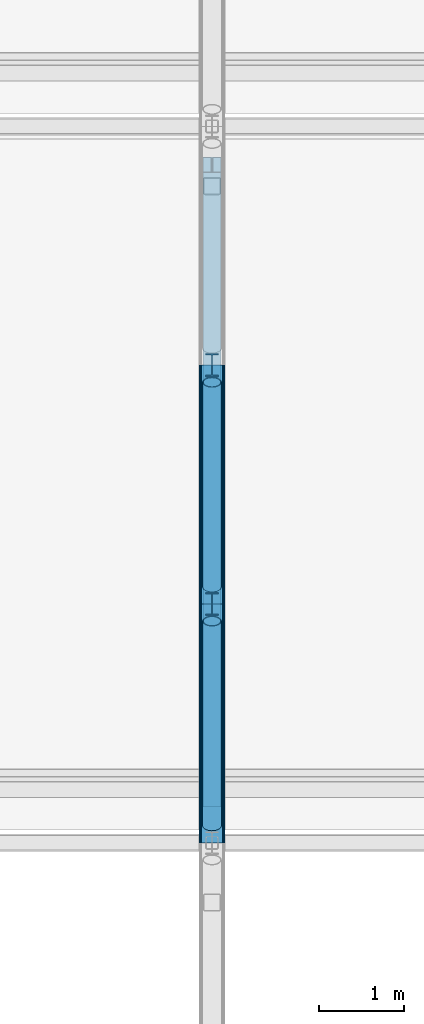
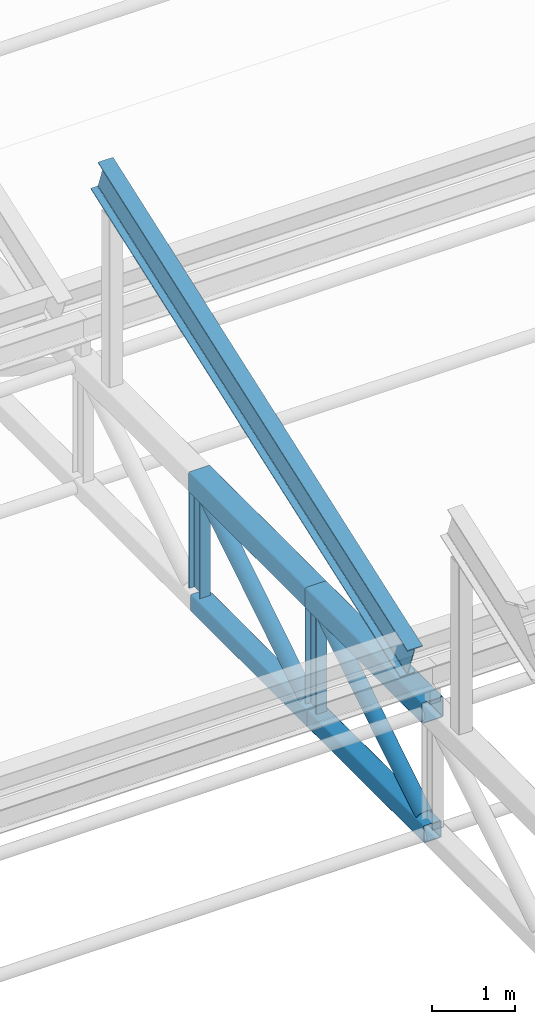
# One storey, part 16 of 101: 9 members.
"""IFC4 building model written with IfcOpenShell, lengths in metres."""

import ifcopenshell
import ifcopenshell.guid

model = None  # the IFC model being written
_history = None  # IfcOwnerHistory: only IFC2X3 demands one
_inside = {}  # id of a spatial element -> (the spatial element, [elements in it])
_under = {}  # id of a project, library or spatial element -> (it, [spatial elements below it])
_declared = {}  # id of a project -> (the project, [libraries it declares])
_typed = {}  # id of a type object -> (the type object, [elements of that type])
_made_of = {}  # id of a material, layer set ... -> (it, [elements and type objects made of it])


def new_model(schema):
    """Start an empty IFC model of exactly this schema.

    Asked for "IFC4X3", IfcOpenShell would pick the latest addendum, in which some entities
    have other attributes; the version numbers below select the first issue.
    IFC2X3 requires an IfcOwnerHistory on every rooted entity: one is made here for all.
    """
    global model, _history
    if schema == "IFC4X3":
        model = ifcopenshell.file(schema_version=(4, 3, 0, 0))
    else:
        model = ifcopenshell.file(schema=schema)
    _inside.clear()
    _under.clear()
    _declared.clear()
    _typed.clear()
    _made_of.clear()
    _history = None
    if model.schema == "IFC2X3":
        org = make("IfcOrganization", Name="unknown")
        user = make(
            "IfcPersonAndOrganization",
            ThePerson=make("IfcPerson", FamilyName="unknown"),
            TheOrganization=org,
        )
        app = make(
            "IfcApplication",
            ApplicationDeveloper=org,
            Version="unknown",
            ApplicationFullName="unknown",
            ApplicationIdentifier="unknown",
        )
        _history = make(
            "IfcOwnerHistory",
            OwningUser=user,
            OwningApplication=app,
            ChangeAction="ADDED",
            CreationDate=0,
        )
    return model


def make(cls, **values):
    """One entity of the class cls with the attributes given. An attribute that is None is left unset."""
    return model.create_entity(
        cls, **{name: value for name, value in values.items() if value is not None}
    )


def rooted(cls, **values):
    """An entity with a GlobalId (a new one), such as an element, a storey or a relation."""
    return make(cls, GlobalId=ifcopenshell.guid.new(), OwnerHistory=_history, **values)


def si_unit(unit_type, name, prefix=None):
    """IfcSIUnit, for example si_unit("LENGTHUNIT", "METRE", prefix="MILLI")."""
    return make("IfcSIUnit", UnitType=unit_type, Prefix=prefix, Name=name)


def assignment(units):
    """IfcUnitAssignment: the units of a project."""
    return None if units is None else make("IfcUnitAssignment", Units=units)


def point(xyz):
    """IfcCartesianPoint."""
    return None if xyz is None else make("IfcCartesianPoint", Coordinates=xyz)


def direction(xyz):
    """IfcDirection."""
    return None if xyz is None else make("IfcDirection", DirectionRatios=xyz)


def frame(location, z_axis=None, x_axis=None):
    """IfcAxis2Placement3D, a coordinate frame: its origin and axes. An axis left out is left unset."""
    return make(
        "IfcAxis2Placement3D",
        Location=point(location),
        Axis=direction(z_axis),
        RefDirection=direction(x_axis),
    )


def frame_2d(location, x_axis=None):
    """IfcAxis2Placement2D, a coordinate frame in the plane: its origin and x axis."""
    return make(
        "IfcAxis2Placement2D", Location=point(location), RefDirection=direction(x_axis)
    )


def origin():
    """The frame at (0, 0, 0) with its axes left unset."""
    return frame((0.0, 0.0, 0.0))


def origin_2d():
    """The frame at (0, 0) in the plane with its x axis left unset."""
    return frame_2d((0.0, 0.0))


def place(relative_to, where):
    """IfcLocalPlacement: puts the frame where relative to a parent placement (None: the world)."""
    return make(
        "IfcLocalPlacement", PlacementRelTo=relative_to, RelativePlacement=where
    )


def context(
    kind, dimensions, precision=None, world=None, true_north=None, identifier=None
):
    """IfcGeometricRepresentationContext, for example the 3D "Model" context."""
    return make(
        "IfcGeometricRepresentationContext",
        ContextIdentifier=identifier,
        ContextType=kind,
        CoordinateSpaceDimension=dimensions,
        Precision=precision,
        WorldCoordinateSystem=world,
        TrueNorth=true_north,
    )


def subcontext(parent, identifier, kind, view, scale=None):
    """IfcGeometricRepresentationSubContext, for example "Body" below "Model"."""
    return make(
        "IfcGeometricRepresentationSubContext",
        ContextIdentifier=identifier,
        ContextType=kind,
        ParentContext=parent,
        TargetScale=scale,
        TargetView=view,
    )


def project(units=None, contexts=None):
    """IfcProject with its units and contexts."""
    return rooted(
        "IfcProject",
        Name="project",
        RepresentationContexts=contexts,
        UnitsInContext=assignment(units),
    )


def spatial(cls, under=None, at=None, **own):
    """A site, building, storey or space (cls), placed at a placement, below another one or the project."""
    s = rooted(cls, ObjectPlacement=at, **own)
    if under is not None:
        _under.setdefault(under.id(), (under, []))[1].append(s)
    return s


def profile(cls, at=None, kind="AREA", **sizes):
    """A parametric profile (cls). Its sizes go by their IFC names, for example OverallWidth=200.0."""
    return make(cls, ProfileType=kind, Position=at, **sizes)


def hollow_rectangle(**sizes):
    """IfcRectangleHollowProfileDef."""
    return profile("IfcRectangleHollowProfileDef", **sizes)


def hollow_circle(**sizes):
    """IfcCircleHollowProfileDef."""
    return profile("IfcCircleHollowProfileDef", **sizes)


def i_section(**sizes):
    """IfcIShapeProfileDef."""
    return profile("IfcIShapeProfileDef", **sizes)


def extrude(swept, where, along, depth):
    """IfcExtrudedAreaSolid: the profile swept, set in the frame where, extruded along a direction by depth."""
    return make(
        "IfcExtrudedAreaSolid",
        SweptArea=swept,
        Position=where,
        ExtrudedDirection=direction(along),
        Depth=depth,
    )


def shape(context_of_items, identifier, shape_type, items):
    """IfcShapeRepresentation: the items that make up one representation, for example the "Body"."""
    return make(
        "IfcShapeRepresentation",
        ContextOfItems=context_of_items,
        RepresentationIdentifier=identifier,
        RepresentationType=shape_type,
        Items=items,
    )


def material(Name=None, Category=None):
    """IfcMaterial."""
    return make("IfcMaterial", Name=Name, Category=Category)


def material_profile(
    of_material, cross_section, Name=None, Category=None, Priority=None
):
    """IfcMaterialProfile: a cross section and its material."""
    return make(
        "IfcMaterialProfile",
        Name=Name,
        Material=of_material,
        Profile=cross_section,
        Priority=Priority,
        Category=Category,
    )


def profile_set(profiles, Name=None, composite=None):
    """IfcMaterialProfileSet."""
    return make(
        "IfcMaterialProfileSet",
        Name=Name,
        MaterialProfiles=profiles,
        CompositeProfile=composite,
    )


def made_of(thing, what):
    """Note that an element or type object is made of a material, layer set ...; save() writes the relation."""
    if what is not None:
        _made_of.setdefault(what.id(), (what, []))[1].append(thing)
    return thing


def type_object(cls, material=None, **own):
    """A type object (cls), such as IfcWallType, which elements share."""
    return made_of(rooted(cls, **own), material)


def element(
    cls,
    number,
    at=None,
    inside=None,
    cuts=None,
    type_object=None,
    material=None,
    context=None,
    identifier="Body",
    shape_type=None,
    held_by="IfcProductDefinitionShape",
    body=None,
    shapes=None,
    **own,
):
    """One element of the class cls, such as IfcWall. Its Tag is "e" and its number.

    at: its placement. inside: the storey or other place that contains it. cuts: it is an
    opening in that element (IfcRelVoidsElement). A single representation is given by context,
    identifier, shape_type and body (its items); several are given by shapes. held_by: the class
    of the entity that holds the representations. save() writes the other relations.
    """
    e = rooted(cls, Tag="e%d" % number, ObjectPlacement=at, **own)
    if body is not None:
        shapes = [shape(context, identifier, shape_type, body)]
    if shapes is not None:
        e.Representation = make(held_by, Representations=shapes)
    if inside is not None:
        _inside.setdefault(inside.id(), (inside, []))[1].append(e)
    if cuts is not None:
        rooted(
            "IfcRelVoidsElement", RelatingBuildingElement=cuts, RelatedOpeningElement=e
        )
    if type_object is not None:
        _typed.setdefault(type_object.id(), (type_object, []))[1].append(e)
    return made_of(e, material)


def aggregate(whole, parts):
    """IfcRelAggregates: a whole, such as a stair, and the parts it consists of."""
    return rooted("IfcRelAggregates", RelatingObject=whole, RelatedObjects=parts)


def save(model, path):
    """Write the relations noted so far, then the file.

    IfcRelAggregates (storeys below a building ...), IfcRelContainedInSpatialStructure (elements
    in a storey), IfcRelDefinesByType, IfcRelAssociatesMaterial and IfcRelDeclares: one each for
    every whole, place, type object, material and project.
    """
    for whole, parts in _under.values():
        aggregate(whole, parts)
    for where, things in _inside.values():
        rooted(
            "IfcRelContainedInSpatialStructure",
            RelatedElements=things,
            RelatingStructure=where,
        )
    for kind, things in _typed.values():
        rooted("IfcRelDefinesByType", RelatedObjects=things, RelatingType=kind)
    for what, things in _made_of.values():
        rooted("IfcRelAssociatesMaterial", RelatedObjects=things, RelatingMaterial=what)
    for by, libraries in _declared.values():
        rooted("IfcRelDeclares", RelatingContext=by, RelatedDefinitions=libraries)
    model.write(path)


model = new_model("IFC4")

# Units and contexts
model_context = context("Model", 3, precision=1e-05, world=origin(), true_north=direction((0.0, 1.0)))
body_context = subcontext(model_context, "Body", "Model", "MODEL_VIEW")
ifc_project = project(units=[si_unit("LENGTHUNIT", "METRE"), si_unit("AREAUNIT", "SQUARE_METRE"), si_unit("VOLUMEUNIT", "CUBIC_METRE"), si_unit("PLANEANGLEUNIT", "RADIAN"), si_unit("MASSUNIT", "GRAM", prefix="KILO")], contexts=[model_context])

# Site, building, storey
site_placement = place(None, origin())
site = spatial("IfcSite", under=ifc_project, at=site_placement, CompositionType="ELEMENT")
building_placement = place(site_placement, origin())
building = spatial("IfcBuilding", under=site, at=building_placement, Name="Fescue Hill Polytechnic", CompositionType="ELEMENT")
storey_placement = place(building_placement, frame((0.0, 0.0, 9.0)))
storey = spatial("IfcBuildingStorey", under=building, at=storey_placement, Name="L02", CompositionType="ELEMENT", Elevation=9.0)

# Members
ifc_material = material(Name="Steel 350W (350 MPa)", Category="steel")
ifc_material_profile_1 = material_profile(ifc_material, hollow_rectangle(XDim=0.25390625, YDim=0.25390625, WallThickness=0.0126953125, InnerFilletRadius=0.0126953125, OuterFilletRadius=0.025390625, at=origin_2d()), Name="Hall truss bottom chord HSS 254x254x13")
ifc_profile_set_1 = profile_set([ifc_material_profile_1], Name="Steel 350W (350 MPa)")
member_type_1 = type_object("IfcMemberType", Name="Hall truss bottom chord HSS 254x254x13", PredefinedType="CHORD", material=ifc_profile_set_1)
for number, where, z_axis, x_axis, name in (
    (1, (50.39990234375, 25.199951171875, 2.0), (0.0, 1.0, 0.0), (-1.0, 0.0, 0.0), "Truss TR4 bottom chord 4"),
    (2, (50.39990234375, 28.0, 2.0), (0.0, 1.0, 0.0), (-1.0, 0.0, 0.0), "Truss TR4 bottom chord 5"),
):
    element("IfcMember", number, at=place(storey_placement, frame(where, z_axis=z_axis, x_axis=x_axis)), inside=storey, type_object=member_type_1, Name=name, PredefinedType="CHORD", context=body_context, shape_type="SweptSolid", body=[
        extrude(hollow_rectangle(XDim=0.25390625, YDim=0.25390625, WallThickness=0.0126953125, InnerFilletRadius=0.0126953125, OuterFilletRadius=0.025390625, at=origin_2d()), origin(), (0.0, 0.0, 1.0), 2.800048828125),
    ])
ifc_material_profile_2 = material_profile(ifc_material, hollow_circle(Radius=0.109619140625, WallThickness=0.009521484375, at=origin_2d()), Name="Hall truss diagonal CHS 219x9.5")
ifc_profile_set_2 = profile_set([ifc_material_profile_2], Name="Steel 350W (350 MPa)")
member_type_2 = type_object("IfcMemberType", Name="Hall truss diagonal CHS 219x9.5", PredefinedType="BRACE", material=ifc_profile_set_2)
for number, where, z_axis, x_axis, name in (
    (3, (50.39990234375, 25.39990234375, 2.126953125), (0.0, 0.847353658992, 0.531028979051), (-1.0, 0.0, 0.0), "Truss TR4 diagonal 4"),
    (4, (50.39990234375, 28.199951171875, 2.126953125), (0.0, 0.847353658992, 0.531028979051), (-1.0, 0.0, 0.0), "Truss TR4 diagonal 5"),
):
    element("IfcMember", number, at=place(storey_placement, frame(where, z_axis=z_axis, x_axis=x_axis)), inside=storey, type_object=member_type_2, Name=name, PredefinedType="BRACE", context=body_context, shape_type="SweptSolid", body=[
        extrude(hollow_circle(Radius=0.109619140625, WallThickness=0.009521484375, at=origin_2d()), origin(), (0.0, 0.0, 1.0), 2.83251953125),
    ])
ifc_material_profile_3 = material_profile(ifc_material, i_section(OverallWidth=0.14794921875, OverallDepth=0.26611328125, WebThickness=0.007568359375, FlangeThickness=0.012939453125, FilletRadius=0.013916015625, at=origin_2d()), Name="W250x45")
ifc_profile_set_3 = profile_set([ifc_material_profile_3], Name="Steel 350W (350 MPa)")
member_type_3 = type_object("IfcMemberType", Name="Hall truss post W250x45", PredefinedType="POST", material=ifc_profile_set_3)
for number, where, z_axis, x_axis, name in (
    (5, (50.39990234375, 28.0, 2.126953125), (0.0, 0.0, 1.0), (1.0, 0.0, 0.0), "Truss TR4 post 5"),
    (6, (50.39990234375, 30.800048828125, 2.126953125), (0.0, 0.0, 1.0), (1.0, 0.0, 0.0), "Truss TR4 post 6"),
):
    element("IfcMember", number, at=place(storey_placement, frame(where, z_axis=z_axis, x_axis=x_axis)), inside=storey, type_object=member_type_3, Name=name, PredefinedType="POST", context=body_context, shape_type="SweptSolid", body=[
        extrude(i_section(OverallWidth=0.14794921875, OverallDepth=0.26611328125, WebThickness=0.007568359375, FlangeThickness=0.012939453125, FilletRadius=0.013916015625, at=origin_2d()), origin(), (0.0, 0.0, 1.0), 1.504150390625),
    ])
ifc_material_profile_4 = material_profile(ifc_material, hollow_rectangle(XDim=0.3046875, YDim=0.3046875, WallThickness=0.0126953125, InnerFilletRadius=0.0126953125, OuterFilletRadius=0.025390625, at=origin_2d()), Name="Hall truss top chord HSS 305x305x13")
ifc_profile_set_4 = profile_set([ifc_material_profile_4], Name="Steel 350W (350 MPa)")
member_type_4 = type_object("IfcMemberType", Name="Hall truss top chord HSS 305x305x13", PredefinedType="CHORD", material=ifc_profile_set_4)
for number, where, z_axis, x_axis, name in (
    (7, (50.39990234375, 25.199951171875, 3.783447265625), (0.0, 1.0, 0.0), (-1.0, 0.0, 0.0), "Truss TR4 top chord 4"),
    (8, (50.39990234375, 28.0, 3.783447265625), (0.0, 1.0, 0.0), (-1.0, 0.0, 0.0), "Truss TR4 top chord 5"),
):
    element("IfcMember", number, at=place(storey_placement, frame(where, z_axis=z_axis, x_axis=x_axis)), inside=storey, type_object=member_type_4, Name=name, PredefinedType="CHORD", context=body_context, shape_type="SweptSolid", body=[
        extrude(hollow_rectangle(XDim=0.3046875, YDim=0.3046875, WallThickness=0.0126953125, InnerFilletRadius=0.0126953125, OuterFilletRadius=0.025390625, at=origin_2d()), origin(), (0.0, 0.0, 1.0), 2.800048828125),
    ])
ifc_material_profile_5 = material_profile(ifc_material, i_section(OverallWidth=0.208984375, OverallDepth=0.532958984375, WebThickness=0.01025390625, FlangeThickness=0.015625, FilletRadius=0.016357421875, at=origin_2d()), Name="W530x92")
ifc_profile_set_5 = profile_set([ifc_material_profile_5], Name="Steel 350W (350 MPa)")
member_type_5 = type_object("IfcMemberType", Name="Tooth rafter W530x92", PredefinedType="RAFTER", material=ifc_profile_set_5)
member_placement = place(storey_placement, frame((50.39990234375, 25.71044921875, 4.18701171875), z_axis=(0.0, 0.941740513165, 0.336340312575), x_axis=(-1.0, 0.0, 0.0)))
element("IfcMember", 9, at=member_placement, inside=storey, type_object=member_type_5, Name="Tooth 2 rafter on TR4", PredefinedType="RAFTER", context=body_context, shape_type="SweptSolid", body=[
    extrude(i_section(OverallWidth=0.208984375, OverallDepth=0.532958984375, WebThickness=0.01025390625, FlangeThickness=0.015625, FilletRadius=0.016357421875, at=origin_2d()), origin(), (0.0, 0.0, 1.0), 7.899658203125),
])

save(model, "model.ifc")
